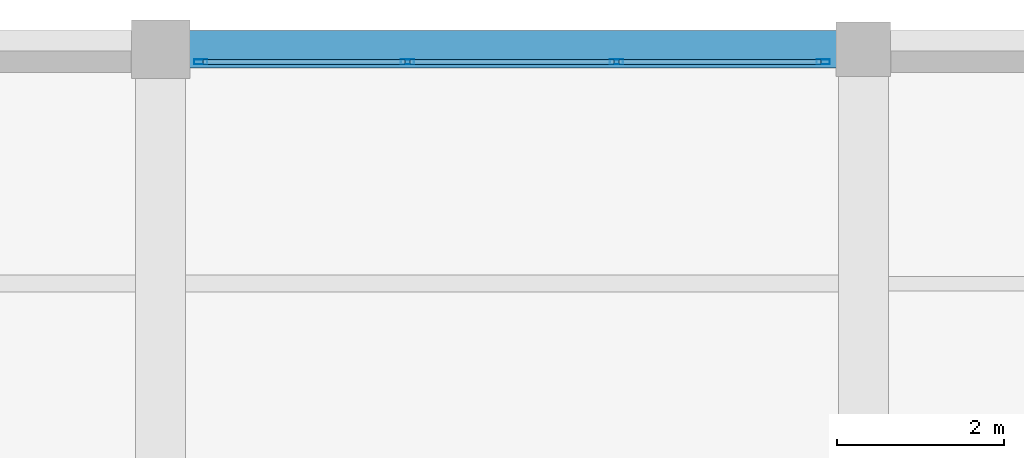
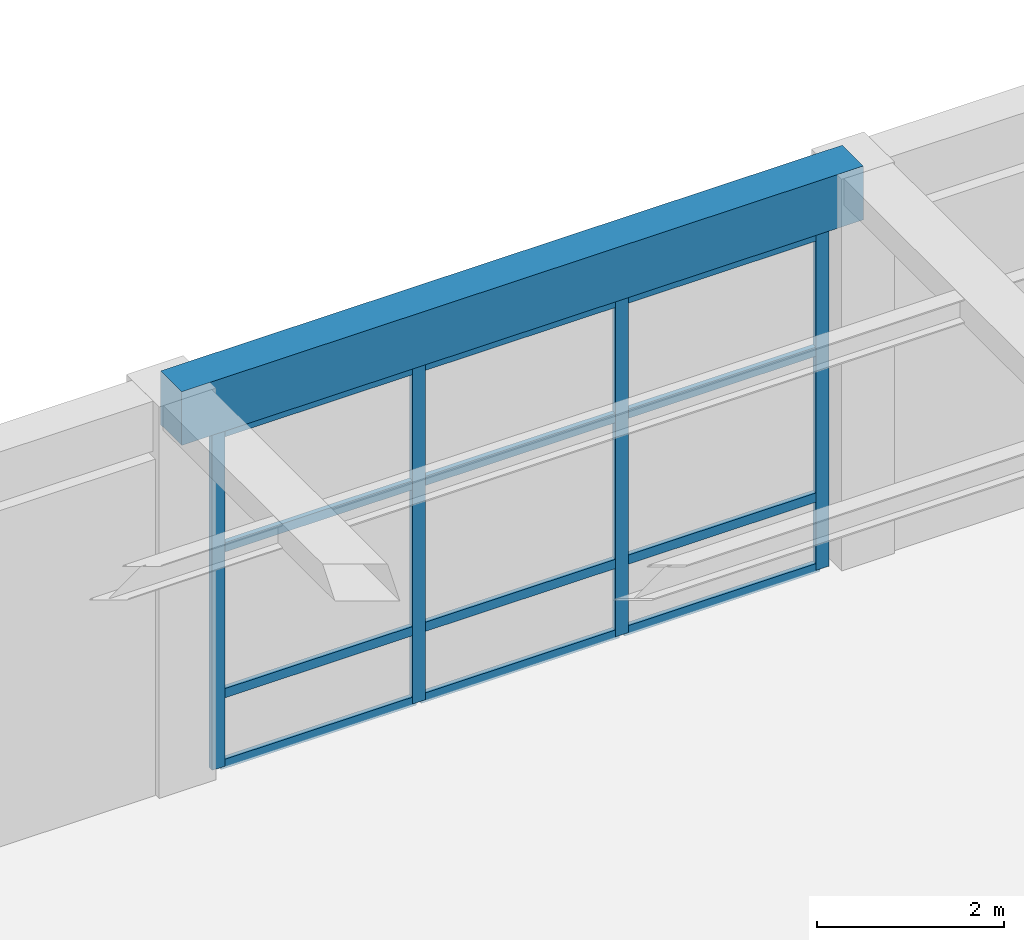
# One storey, part 41 of 95: 16 members, 1 beam, 1 element without a shape of its own.
"""IFC4 building model written with IfcOpenShell, lengths in metres."""

from ifc_helpers import new_model, si_unit, direction, frame, origin, origin_2d, place, context, subcontext, project, spatial, rectangle, hollow_rectangle, extrude, material, material_profile, profile_set, type_object, element, aggregate, save


model = new_model("IFC4")

# Units and contexts
model_context = context("Model", 3, precision=1e-05, world=origin(), true_north=direction((0.0, 1.0)))
body_context = subcontext(model_context, "Body", "Model", "MODEL_VIEW")
ifc_project = project(units=[si_unit("LENGTHUNIT", "METRE"), si_unit("AREAUNIT", "SQUARE_METRE"), si_unit("VOLUMEUNIT", "CUBIC_METRE"), si_unit("PLANEANGLEUNIT", "RADIAN"), si_unit("MASSUNIT", "GRAM", prefix="KILO")], contexts=[model_context])

# Site, building, storey
site_placement = place(None, origin())
site = spatial("IfcSite", under=ifc_project, at=site_placement, CompositionType="ELEMENT")
building_placement = place(site_placement, origin())
building = spatial("IfcBuilding", under=site, at=building_placement, Name="Almacenes y Pasaje Nevantli", CompositionType="ELEMENT")
storey_placement = place(building_placement, frame((0.0, 0.0, 11.39990234375)))
storey = spatial("IfcBuildingStorey", under=building, at=storey_placement, Name="L03", CompositionType="ELEMENT", Elevation=11.39990234375)

# Beam
ifc_material_1 = material(Name="Concrete C35/45", Category="concrete")
ifc_material_profile_1 = material_profile(ifc_material_1, rectangle(XDim=0.449951171875, YDim=0.699951171875, at=origin_2d()), Name="RC-BM-450x700")
ifc_profile_set_1 = profile_set([ifc_material_profile_1], Name="Concrete C35/45")
beam_type = type_object("IfcBeamType", Name="BM-RC-450x700", PredefinedType="SPANDREL", material=ifc_profile_set_1)
beam_placement = place(storey_placement, frame((50.39990234375, 117.60009765625, 4.75), z_axis=(1.0, 0.0, 0.0), x_axis=(0.0, 1.0, 0.0)))
element("IfcBeam", 1, at=beam_placement, inside=storey, type_object=beam_type, Name="L03 East-West Reinforced Concrete Beam #2466", PredefinedType="SPANDREL", context=body_context, shape_type="SweptSolid", body=[
    extrude(rectangle(XDim=0.449951171875, YDim=0.699951171875, at=origin_2d()), origin(), (0.0, 0.0, 1.0), 8.400146484375),
])

# Curtain wall, members
ifc_material_2 = material(Name="Thermally Broken Aluminium and Low-E Glass", Category="aluminium")
curtain_wall_type = type_object("IfcCurtainWallType", Name="CW-STF-BLVD", PredefinedType="USERDEFINED", material=ifc_material_2)
curtain_wall_placement = place(storey_placement, origin())
curtain_wall = element("IfcCurtainWall", 2, at=curtain_wall_placement, inside=storey, type_object=curtain_wall_type, Name="L03 North Boulevard Retail Curtain Wall Bay 7", ObjectType="STOREFRONT GLAZING", PredefinedType="USERDEFINED")
ifc_material_3 = material(Name="Thermally Broken Anodized Aluminium", Category="aluminium")
ifc_material_profile_2 = material_profile(ifc_material_3, hollow_rectangle(XDim=0.06005859375, YDim=0.159912109375, WallThickness=0.00390625, at=origin_2d()), Name="ALU-MUL-60x160")
ifc_profile_set_2 = profile_set([ifc_material_profile_2], Name="Thermally Broken Anodized Aluminium")
member_type_1 = type_object("IfcMemberType", Name="CW-MUL-180", PredefinedType="MULLION", material=ifc_profile_set_2)
member_1_placement = place(storey_placement, frame((50.8798828125, 117.449951171875, 0.0), z_axis=(0.0, 0.0, 1.0), x_axis=(0.0, 1.0, 0.0)))
member_1 = element("IfcMember", 3, at=member_1_placement, type_object=member_type_1, Name="CW-L03-037 mullion 1", PredefinedType="MULLION", context=body_context, shape_type="SweptSolid", body=[
    extrude(hollow_rectangle(XDim=0.06005859375, YDim=0.159912109375, WallThickness=0.00390625, at=origin_2d()), origin(), (0.0, 0.0, 1.0), 4.380126953125),
])
member_2_placement = place(storey_placement, frame((53.35009765625, 117.449951171875, 0.0), z_axis=(0.0, 0.0, 1.0), x_axis=(0.0, 1.0, 0.0)))
member_2 = element("IfcMember", 4, at=member_2_placement, type_object=member_type_1, Name="CW-L03-037 mullion 2", PredefinedType="MULLION", context=body_context, shape_type="SweptSolid", body=[
    extrude(hollow_rectangle(XDim=0.06005859375, YDim=0.159912109375, WallThickness=0.00390625, at=origin_2d()), origin(), (0.0, 0.0, 1.0), 4.380126953125),
])
member_3_placement = place(storey_placement, frame((55.85009765625, 117.449951171875, 0.0), z_axis=(0.0, 0.0, 1.0), x_axis=(0.0, 1.0, 0.0)))
member_3 = element("IfcMember", 5, at=member_3_placement, type_object=member_type_1, Name="CW-L03-037 mullion 3", PredefinedType="MULLION", context=body_context, shape_type="SweptSolid", body=[
    extrude(hollow_rectangle(XDim=0.06005859375, YDim=0.159912109375, WallThickness=0.00390625, at=origin_2d()), origin(), (0.0, 0.0, 1.0), 4.380126953125),
])
member_4_placement = place(storey_placement, frame((58.320068359375, 117.449951171875, 0.0), z_axis=(0.0, 0.0, 1.0), x_axis=(0.0, 1.0, 0.0)))
member_4 = element("IfcMember", 6, at=member_4_placement, type_object=member_type_1, Name="CW-L03-037 mullion 4", PredefinedType="MULLION", context=body_context, shape_type="SweptSolid", body=[
    extrude(hollow_rectangle(XDim=0.06005859375, YDim=0.159912109375, WallThickness=0.00390625, at=origin_2d()), origin(), (0.0, 0.0, 1.0), 4.380126953125),
])
ifc_material_4 = material(Name="Thermally Broken Anodized Aluminium", Category="aluminium")
ifc_material_profile_3 = material_profile(ifc_material_4, hollow_rectangle(XDim=0.06005859375, YDim=0.1201171875, WallThickness=0.00341796875, at=origin_2d()), Name="ALU-TRN-60x120")
ifc_profile_set_3 = profile_set([ifc_material_profile_3], Name="Thermally Broken Anodized Aluminium")
member_type_2 = type_object("IfcMemberType", Name="CW-TRN-130", PredefinedType="USERDEFINED", material=ifc_profile_set_3)
member_5_placement = place(storey_placement, frame((50.909912109375, 117.449951171875, 0.030029296875), z_axis=(1.0, 0.0, 0.0), x_axis=(0.0, 1.0, 0.0)))
member_5 = element("IfcMember", 7, at=member_5_placement, type_object=member_type_2, Name="CW-L03-037 transom 1.1", ObjectType="TRANSOM", PredefinedType="USERDEFINED", context=body_context, shape_type="SweptSolid", body=[
    extrude(hollow_rectangle(XDim=0.06005859375, YDim=0.1201171875, WallThickness=0.00341796875, at=origin_2d()), origin(), (0.0, 0.0, 1.0), 2.41015625),
])
member_6_placement = place(storey_placement, frame((50.909912109375, 117.449951171875, 0.9501953125), z_axis=(1.0, 0.0, 0.0), x_axis=(0.0, 1.0, 0.0)))
member_6 = element("IfcMember", 8, at=member_6_placement, type_object=member_type_2, Name="CW-L03-037 transom 1.2", ObjectType="TRANSOM", PredefinedType="USERDEFINED", context=body_context, shape_type="SweptSolid", body=[
    extrude(hollow_rectangle(XDim=0.06005859375, YDim=0.1201171875, WallThickness=0.00341796875, at=origin_2d()), origin(), (0.0, 0.0, 1.0), 2.41015625),
])
member_7_placement = place(storey_placement, frame((50.909912109375, 117.449951171875, 2.85009765625), z_axis=(1.0, 0.0, 0.0), x_axis=(0.0, 1.0, 0.0)))
member_7 = element("IfcMember", 9, at=member_7_placement, type_object=member_type_2, Name="CW-L03-037 transom 1.3", ObjectType="TRANSOM", PredefinedType="USERDEFINED", context=body_context, shape_type="SweptSolid", body=[
    extrude(hollow_rectangle(XDim=0.06005859375, YDim=0.1201171875, WallThickness=0.00341796875, at=origin_2d()), origin(), (0.0, 0.0, 1.0), 2.41015625),
])
member_8_placement = place(storey_placement, frame((50.909912109375, 117.449951171875, 4.35009765625), z_axis=(1.0, 0.0, 0.0), x_axis=(0.0, 1.0, 0.0)))
member_8 = element("IfcMember", 10, at=member_8_placement, type_object=member_type_2, Name="CW-L03-037 transom 1.4", ObjectType="TRANSOM", PredefinedType="USERDEFINED", context=body_context, shape_type="SweptSolid", body=[
    extrude(hollow_rectangle(XDim=0.06005859375, YDim=0.1201171875, WallThickness=0.00341796875, at=origin_2d()), origin(), (0.0, 0.0, 1.0), 2.41015625),
])
member_9_placement = place(storey_placement, frame((53.3798828125, 117.449951171875, 0.030029296875), z_axis=(1.0, 0.0, 0.0), x_axis=(0.0, 1.0, 0.0)))
member_9 = element("IfcMember", 11, at=member_9_placement, type_object=member_type_2, Name="CW-L03-037 transom 2.1", ObjectType="TRANSOM", PredefinedType="USERDEFINED", context=body_context, shape_type="SweptSolid", body=[
    extrude(hollow_rectangle(XDim=0.06005859375, YDim=0.1201171875, WallThickness=0.00341796875, at=origin_2d()), origin(), (0.0, 0.0, 1.0), 2.440185546875),
])
member_10_placement = place(storey_placement, frame((53.3798828125, 117.449951171875, 0.9501953125), z_axis=(1.0, 0.0, 0.0), x_axis=(0.0, 1.0, 0.0)))
member_10 = element("IfcMember", 12, at=member_10_placement, type_object=member_type_2, Name="CW-L03-037 transom 2.2", ObjectType="TRANSOM", PredefinedType="USERDEFINED", context=body_context, shape_type="SweptSolid", body=[
    extrude(hollow_rectangle(XDim=0.06005859375, YDim=0.1201171875, WallThickness=0.00341796875, at=origin_2d()), origin(), (0.0, 0.0, 1.0), 2.440185546875),
])
member_11_placement = place(storey_placement, frame((53.3798828125, 117.449951171875, 2.85009765625), z_axis=(1.0, 0.0, 0.0), x_axis=(0.0, 1.0, 0.0)))
member_11 = element("IfcMember", 13, at=member_11_placement, type_object=member_type_2, Name="CW-L03-037 transom 2.3", ObjectType="TRANSOM", PredefinedType="USERDEFINED", context=body_context, shape_type="SweptSolid", body=[
    extrude(hollow_rectangle(XDim=0.06005859375, YDim=0.1201171875, WallThickness=0.00341796875, at=origin_2d()), origin(), (0.0, 0.0, 1.0), 2.440185546875),
])
member_12_placement = place(storey_placement, frame((53.3798828125, 117.449951171875, 4.35009765625), z_axis=(1.0, 0.0, 0.0), x_axis=(0.0, 1.0, 0.0)))
member_12 = element("IfcMember", 14, at=member_12_placement, type_object=member_type_2, Name="CW-L03-037 transom 2.4", ObjectType="TRANSOM", PredefinedType="USERDEFINED", context=body_context, shape_type="SweptSolid", body=[
    extrude(hollow_rectangle(XDim=0.06005859375, YDim=0.1201171875, WallThickness=0.00341796875, at=origin_2d()), origin(), (0.0, 0.0, 1.0), 2.440185546875),
])
member_13_placement = place(storey_placement, frame((55.8798828125, 117.449951171875, 0.030029296875), z_axis=(1.0, 0.0, 0.0), x_axis=(0.0, 1.0, 0.0)))
member_13 = element("IfcMember", 15, at=member_13_placement, type_object=member_type_2, Name="CW-L03-037 transom 3.1", ObjectType="TRANSOM", PredefinedType="USERDEFINED", context=body_context, shape_type="SweptSolid", body=[
    extrude(hollow_rectangle(XDim=0.06005859375, YDim=0.1201171875, WallThickness=0.00341796875, at=origin_2d()), origin(), (0.0, 0.0, 1.0), 2.41015625),
])
member_14_placement = place(storey_placement, frame((55.8798828125, 117.449951171875, 0.9501953125), z_axis=(1.0, 0.0, 0.0), x_axis=(0.0, 1.0, 0.0)))
member_14 = element("IfcMember", 16, at=member_14_placement, type_object=member_type_2, Name="CW-L03-037 transom 3.2", ObjectType="TRANSOM", PredefinedType="USERDEFINED", context=body_context, shape_type="SweptSolid", body=[
    extrude(hollow_rectangle(XDim=0.06005859375, YDim=0.1201171875, WallThickness=0.00341796875, at=origin_2d()), origin(), (0.0, 0.0, 1.0), 2.41015625),
])
member_15_placement = place(storey_placement, frame((55.8798828125, 117.449951171875, 2.85009765625), z_axis=(1.0, 0.0, 0.0), x_axis=(0.0, 1.0, 0.0)))
member_15 = element("IfcMember", 17, at=member_15_placement, type_object=member_type_2, Name="CW-L03-037 transom 3.3", ObjectType="TRANSOM", PredefinedType="USERDEFINED", context=body_context, shape_type="SweptSolid", body=[
    extrude(hollow_rectangle(XDim=0.06005859375, YDim=0.1201171875, WallThickness=0.00341796875, at=origin_2d()), origin(), (0.0, 0.0, 1.0), 2.41015625),
])
member_16_placement = place(storey_placement, frame((55.8798828125, 117.449951171875, 4.35009765625), z_axis=(1.0, 0.0, 0.0), x_axis=(0.0, 1.0, 0.0)))
member_16 = element("IfcMember", 18, at=member_16_placement, type_object=member_type_2, Name="CW-L03-037 transom 3.4", ObjectType="TRANSOM", PredefinedType="USERDEFINED", context=body_context, shape_type="SweptSolid", body=[
    extrude(hollow_rectangle(XDim=0.06005859375, YDim=0.1201171875, WallThickness=0.00341796875, at=origin_2d()), origin(), (0.0, 0.0, 1.0), 2.41015625),
])
aggregate(curtain_wall, [member_1, member_2, member_3, member_4, member_5, member_6, member_7, member_8, member_9, member_10, member_11, member_12, member_13, member_14, member_15, member_16])

save(model, "model.ifc")
